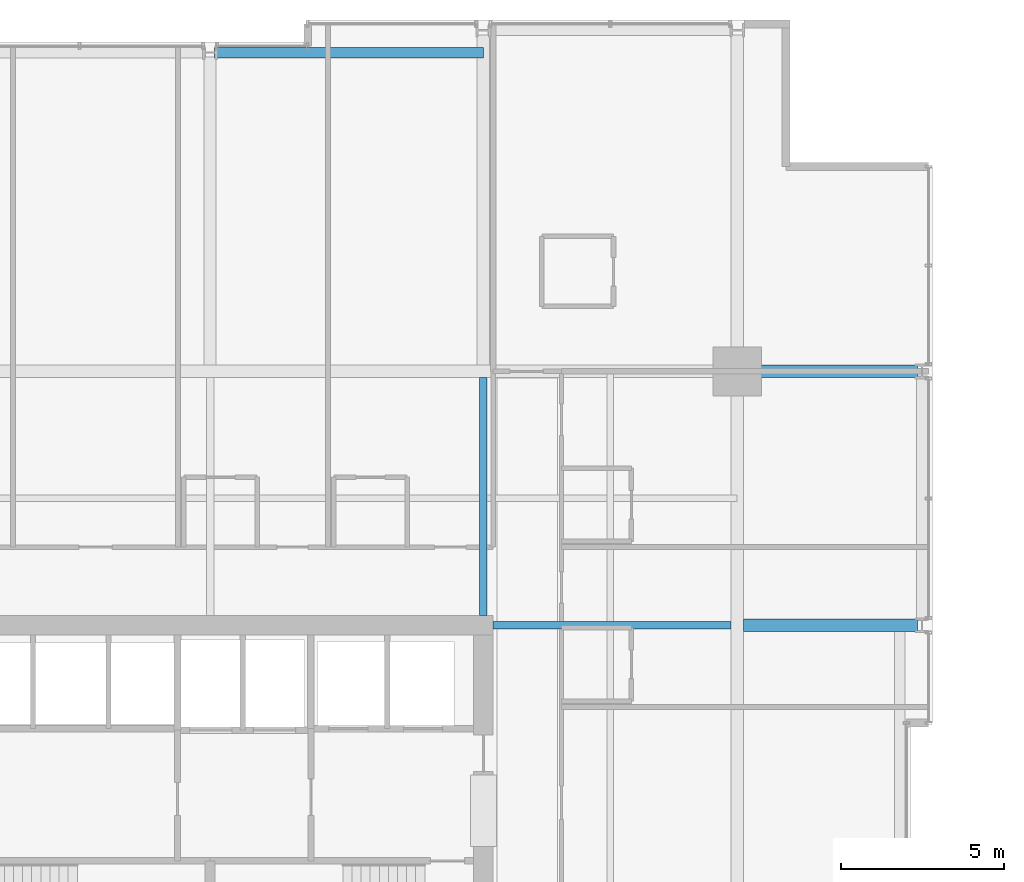
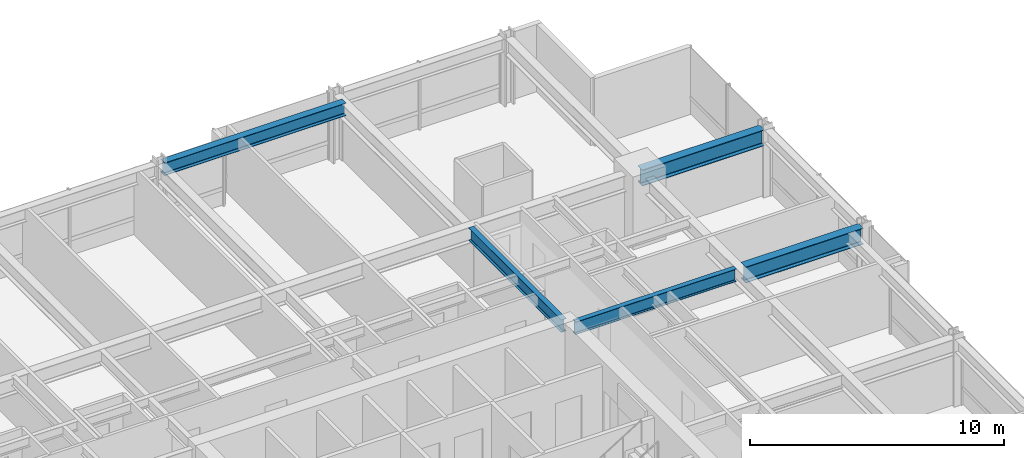
# One storey, part 23 of 34: 5 beams.
"""IFC4 building model written with IfcOpenShell, lengths in metres."""

from ifc_helpers import new_model, si_unit, direction, frame, origin, origin_2d, place, context, subcontext, project, spatial, i_section, extrude, material, material_profile, profile_set, type_object, element, save


model = new_model("IFC4")

# Units and contexts
model_context = context("Model", 3, precision=1e-05, world=origin(), true_north=direction((0.0, 1.0)))
body_context = subcontext(model_context, "Body", "Model", "MODEL_VIEW")
ifc_project = project(units=[si_unit("LENGTHUNIT", "METRE"), si_unit("AREAUNIT", "SQUARE_METRE"), si_unit("VOLUMEUNIT", "CUBIC_METRE"), si_unit("PLANEANGLEUNIT", "RADIAN"), si_unit("MASSUNIT", "GRAM", prefix="KILO")], contexts=[model_context])

# Site, building, storey
site_placement = place(None, origin())
site = spatial("IfcSite", under=ifc_project, at=site_placement, CompositionType="ELEMENT")
building_placement = place(site_placement, origin())
building = spatial("IfcBuilding", under=site, at=building_placement, Name="Drelvath Grand Hotel", CompositionType="ELEMENT")
storey_placement = place(building_placement, frame((0.0, 0.0, 91.800048828125)))
storey = spatial("IfcBuildingStorey", under=building, at=storey_placement, Name="L22", CompositionType="ELEMENT", Elevation=91.800048828125)

# Beams
ifc_material = material(Name="Steel ASTM A992 Gr 50", Category="steel")
ifc_material_profile_1 = material_profile(ifc_material, i_section(OverallWidth=0.323974609375, OverallDepth=0.611083984375, WebThickness=0.0126953125, FlangeThickness=0.01904296875, FilletRadius=0.02197265625, at=origin_2d()), Name="W24X104")
ifc_profile_set_1 = profile_set([ifc_material_profile_1], Name="Steel ASTM A992 Gr 50")
beam_type_1 = type_object("IfcBeamType", Name="Perimeter Spandrel Beam W24X104", PredefinedType="SPANDREL", material=ifc_profile_set_1)
beam_1_placement = place(storey_placement, frame((0.139892578125, 53.0, 2.9345703125), z_axis=(1.0, 0.0, 0.0), x_axis=(0.0, 1.0, 0.0)))
element("IfcBeam", 1, at=beam_1_placement, inside=storey, type_object=beam_type_1, Name="L22 Spandrel North Mid E", PredefinedType="SPANDREL", context=body_context, shape_type="SweptSolid", body=[
    extrude(i_section(OverallWidth=0.323974609375, OverallDepth=0.611083984375, WebThickness=0.0126953125, FlangeThickness=0.01904296875, FilletRadius=0.02197265625, at=origin_2d()), origin(), (0.0, 0.0, 1.0), 8.260009765625),
])
ifc_material_profile_2 = material_profile(ifc_material, i_section(OverallWidth=0.228271484375, OverallDepth=0.607666015625, WebThickness=0.01123046875, FlangeThickness=0.017333984375, FilletRadius=0.02001953125, at=origin_2d()), Name="W24X76")
ifc_profile_set_2 = profile_set([ifc_material_profile_2], Name="Steel ASTM A992 Gr 50")
beam_type_2 = type_object("IfcBeamType", Name="Primary Floor Girder W24X76", PredefinedType="BEAM", material=ifc_profile_set_2)
for number, where, z_axis, x_axis, name in (
    (2, (8.699951171875, 35.39990234375, 2.93603515625), (1.0, 0.0, 0.0), (0.0, 1.0, 0.0), "L22 East Core Tie F"),
    (3, (8.39990234375, 35.699951171875, 2.93603515625), (0.0, 1.0, 0.0), (-1.0, 0.0, 0.0), "L22 North Core Tie 6"),
):
    element("IfcBeam", number, at=place(storey_placement, frame(where, z_axis=z_axis, x_axis=x_axis)), inside=storey, type_object=beam_type_2, Name=name, PredefinedType="BEAM", context=body_context, shape_type="SweptSolid", body=[
        extrude(i_section(OverallWidth=0.228271484375, OverallDepth=0.607666015625, WebThickness=0.01123046875, FlangeThickness=0.017333984375, FilletRadius=0.02001953125, at=origin_2d()), origin(), (0.0, 0.0, 1.0), 7.309814453125),
    ])
ifc_material_profile_3 = material_profile(ifc_material, i_section(OverallWidth=0.380615234375, OverallDepth=0.773193359375, WebThickness=0.0166015625, FlangeThickness=0.027099609375, FilletRadius=0.02490234375, at=origin_2d()), Name="W30X173")
ifc_profile_set_3 = profile_set([ifc_material_profile_3], Name="Steel ASTM A992 Gr 50")
beam_type_3 = type_object("IfcBeamType", Name="Primary Floor Girder W30X173", PredefinedType="BEAM", material=ifc_profile_set_3)
beam_2_placement = place(storey_placement, frame((16.199951171875, 43.199951171875, 2.853271484375), z_axis=(1.0, 0.0, 0.0), x_axis=(0.0, 1.0, 0.0)))
element("IfcBeam", 4, at=beam_2_placement, inside=storey, type_object=beam_type_3, Name="L22 East Grid Girder G", PredefinedType="BEAM", context=body_context, shape_type="SweptSolid", body=[
    extrude(i_section(OverallWidth=0.380615234375, OverallDepth=0.773193359375, WebThickness=0.0166015625, FlangeThickness=0.027099609375, FilletRadius=0.02490234375, at=origin_2d()), origin(), (0.0, 0.0, 1.0), 5.5400390625),
])
beam_3_placement = place(storey_placement, frame((16.390380859375, 35.39990234375, 2.853271484375), z_axis=(1.0, 0.0, 0.0), x_axis=(0.0, 1.0, 0.0)))
element("IfcBeam", 5, at=beam_3_placement, inside=storey, type_object=beam_type_3, Name="L22 East Wing Girder F", PredefinedType="BEAM", context=body_context, shape_type="SweptSolid", body=[
    extrude(i_section(OverallWidth=0.380615234375, OverallDepth=0.773193359375, WebThickness=0.0166015625, FlangeThickness=0.027099609375, FilletRadius=0.02490234375, at=origin_2d()), origin(), (0.0, 0.0, 1.0), 5.349609375),
])

save(model, "model.ifc")
